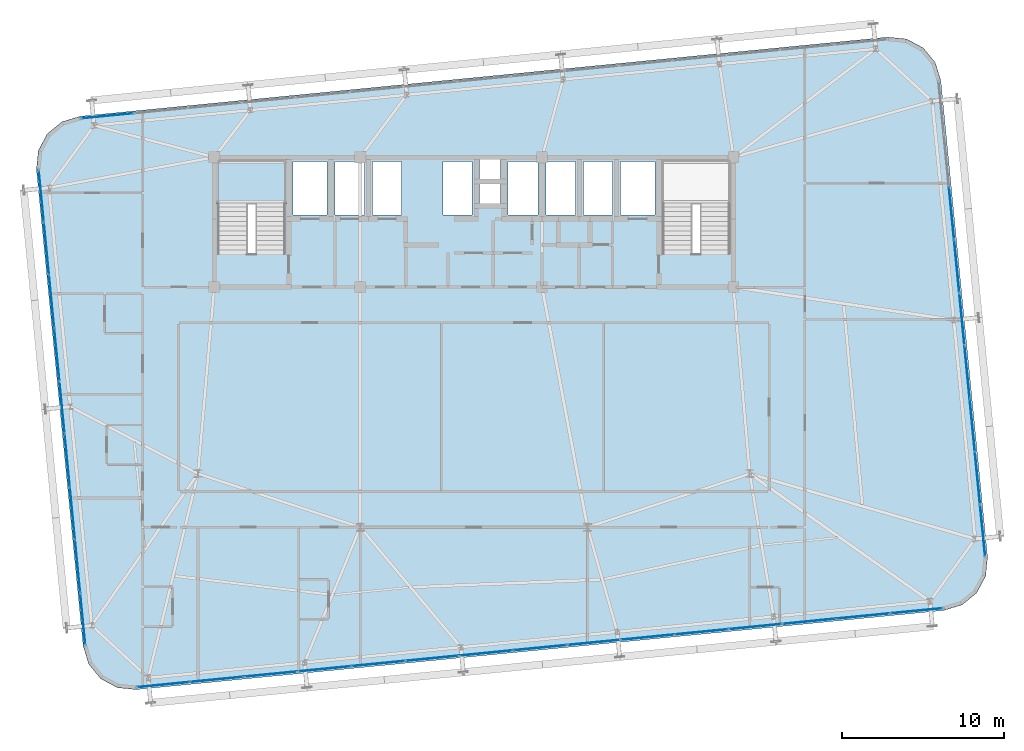
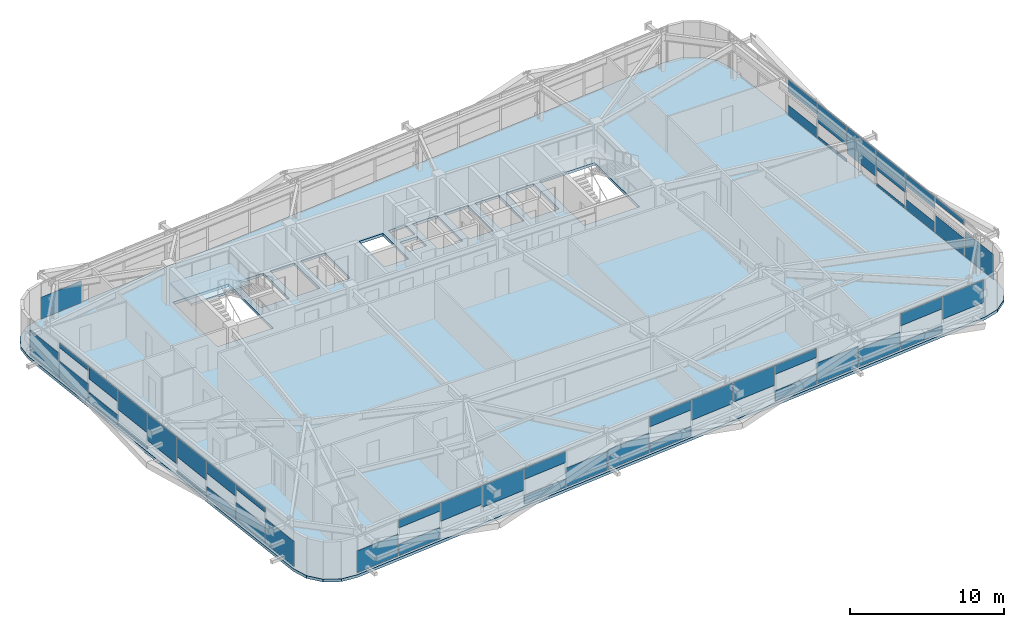
# One storey, part 36 of 53: 48 plates, 2 slabs, 5 elements without a shape of their own.
"""IFC4 building model written with IfcOpenShell, lengths in metres."""

from ifc_helpers import new_model, si_unit, direction, frame, origin, origin_2d, place, context, subcontext, project, spatial, polyline, rectangle, outline, extrude, source, transform, mapped, material, layer, layer_set, type_object, element, aggregate, save


model = new_model("IFC4")

# Units and contexts
model_context = context("Model", 3, precision=1e-05, world=origin(), true_north=direction((0.0, 1.0)))
body_context = subcontext(model_context, "Body", "Model", "MODEL_VIEW")
ifc_project = project(units=[si_unit("LENGTHUNIT", "METRE"), si_unit("AREAUNIT", "SQUARE_METRE"), si_unit("VOLUMEUNIT", "CUBIC_METRE"), si_unit("PLANEANGLEUNIT", "RADIAN"), si_unit("MASSUNIT", "GRAM", prefix="KILO")], contexts=[model_context])

# Site, building, storey
site_placement = place(None, origin())
site = spatial("IfcSite", under=ifc_project, at=site_placement, CompositionType="ELEMENT")
building_placement = place(site_placement, origin())
building = spatial("IfcBuilding", under=site, at=building_placement, Name="Taldren Reach Tower", CompositionType="ELEMENT")
storey_placement = place(building_placement, frame((0.0, 0.0, 84.0)))
storey = spatial("IfcBuildingStorey", under=building, at=storey_placement, Name="L25", CompositionType="ELEMENT", Elevation=84.0)

# Slab
ifc_material_1 = material(Name="Concrete N40 (40 MPa)", Category="concrete")
ifc_layer_1 = layer(ifc_material_1, 0.219970703125)
ifc_layer_set_1 = layer_set([ifc_layer_1], Name="Concrete N40 (40 MPa)")
slab_type_1 = type_object("IfcSlabType", Name="SL-FLR-220", PredefinedType="FLOOR", material=ifc_layer_set_1)
slab_1_placement = place(storey_placement, frame((0.0, 0.0, -0.219970703125)))
element("IfcSlab", 1, at=slab_1_placement, inside=storey, type_object=slab_type_1, Name="Suspended floor slab L25", PredefinedType="FLOOR", context=body_context, shape_type="SweptSolid", body=[
    extrude(outline(polyline([(63.962890625, 4.07421875), (65.0830078125, 4.41357421875), (65.98828125, 5.15576171875), (66.54052734375, 6.187744140625), (66.65576171875, 7.352783203125), (63.777099609375, 36.7119140625), (63.437744140625, 37.832275390625), (62.695556640625, 38.7373046875), (61.663330078125, 39.28955078125), (60.49853515625, 39.40478515625), (10.7373046875, 34.525634765625), (9.616943359375, 34.1865234375), (8.711669921875, 33.4443359375), (8.159423828125, 32.412109375), (8.044189453125, 31.247314453125), (10.923095703125, 1.88818359375), (11.26220703125, 0.767822265625), (12.00439453125, -0.137451171875), (13.03662109375, -0.689697265625), (14.201416015625, -0.804931640625), (63.962890625, 4.07421875)]), holes=[polyline([(19.219970703125, 26.050048828125), (23.3798828125, 26.050048828125), (23.3798828125, 31.820068359375), (19.219970703125, 31.820068359375), (19.219970703125, 26.050048828125)]), polyline([(46.6201171875, 26.050048828125), (50.780029296875, 26.050048828125), (50.780029296875, 31.820068359375), (46.6201171875, 31.820068359375), (46.6201171875, 26.050048828125)]), polyline([(23.85009765625, 28.449951171875), (25.949951171875, 28.449951171875), (25.949951171875, 31.75), (23.85009765625, 31.75), (23.85009765625, 28.449951171875)]), polyline([(44.050048828125, 28.449951171875), (46.14990234375, 28.449951171875), (46.14990234375, 31.75), (44.050048828125, 31.75), (44.050048828125, 28.449951171875)]), polyline([(26.449951171875, 28.449951171875), (28.25, 28.449951171875), (28.25, 31.75), (26.449951171875, 31.75), (26.449951171875, 28.449951171875)]), polyline([(28.75, 28.449951171875), (30.550048828125, 28.449951171875), (30.550048828125, 31.75), (28.75, 31.75), (28.75, 28.449951171875)]), polyline([(33.10009765625, 28.449951171875), (34.89990234375, 28.449951171875), (34.89990234375, 31.75), (33.10009765625, 31.75), (33.10009765625, 28.449951171875)]), polyline([(37.10009765625, 28.449951171875), (38.949951171875, 28.449951171875), (38.949951171875, 31.75), (37.10009765625, 31.75), (37.10009765625, 28.449951171875)]), polyline([(39.449951171875, 28.449951171875), (41.25, 28.449951171875), (41.25, 31.75), (39.449951171875, 31.75), (39.449951171875, 28.449951171875)]), polyline([(41.75, 28.449951171875), (43.550048828125, 28.449951171875), (43.550048828125, 31.75), (41.75, 31.75), (41.75, 28.449951171875)]), polyline([(35.35009765625, 30.64990234375), (36.64990234375, 30.64990234375), (36.64990234375, 31.85009765625), (35.35009765625, 31.85009765625), (35.35009765625, 30.64990234375)]), polyline([(35.35009765625, 29.14990234375), (36.64990234375, 29.14990234375), (36.64990234375, 30.35009765625), (35.35009765625, 30.35009765625), (35.35009765625, 29.14990234375)])]), origin(), (0.0, 0.0, 1.0), 0.219970703125),
])

# Stair, slab
ifc_material_2 = material(Name="Concrete S50 (50 MPa)", Category="concrete")
stair_type = type_object("IfcStairType", Name="ST-HT-315", PredefinedType="HALF_TURN_STAIR", material=ifc_material_2)
stair_placement = place(storey_placement, origin())
stair = element("IfcStair", 2, at=stair_placement, inside=storey, type_object=stair_type, Name="Fire-isolated exit stair ST1 L25", PredefinedType="HALF_TURN_STAIR")
ifc_layer_2 = layer(ifc_material_2, 0.179931640625)
ifc_layer_set_2 = layer_set([ifc_layer_2], Name="Concrete S50 (50 MPa)")
slab_type_2 = type_object("IfcSlabType", Name="SL-LAND-180", PredefinedType="LANDING", material=ifc_layer_set_2)
slab_2_placement = place(storey_placement, frame((0.0, 0.0, 1.39501953125)))
slab_2 = element("IfcSlab", 3, at=slab_2_placement, type_object=slab_type_2, Name="ST1 landing 1", PredefinedType="LANDING", context=body_context, shape_type="SweptSolid", body=[
    extrude(outline(polyline([(19.0400390625, 29.135009765625), (23.56005859375, 29.135009765625), (23.56005859375, 31.8701171875), (19.0400390625, 31.8701171875), (19.0400390625, 29.135009765625)])), origin(), (0.0, 0.0, 1.0), 0.179931640625),
])
aggregate(stair, [slab_2])

# Curtain wall, plate
ifc_material_3 = material(Name="Aluminium and Low-E Glass Unitised System", Category="aluminium")
ifc_layer_3 = layer(ifc_material_3, 0.159912109375)
ifc_layer_set_3 = layer_set([ifc_layer_3], Name="Aluminium and Low-E Glass Unitised System")
curtain_wall_type = type_object("IfcCurtainWallType", Name="CW-SYS-3", PredefinedType="NOTDEFINED", material=ifc_layer_set_3)
curtain_wall_1_placement = place(storey_placement, origin())
curtain_wall_1 = element("IfcCurtainWall", 4, at=curtain_wall_1_placement, inside=storey, type_object=curtain_wall_type, Name="Unitised curtain wall CW-L25-S", PredefinedType="NOTDEFINED")
ifc_material_4 = material(Name="Solar-Control Double Glazed IGU", Category="glass")
ifc_layer_4 = layer(ifc_material_4, 0.031982421875)
ifc_layer_set_4 = layer_set([ifc_layer_4], Name="Solar-Control Double Glazed IGU")
plate_type = type_object("IfcPlateType", Name="CW-PNL-IGU32", PredefinedType="CURTAIN_PANEL", material=ifc_layer_set_4)
shared_shape_1 = source(origin(), body_context, "Body", "SweptSolid", [
    extrude(rectangle(XDim=3.23583984375, YDim=0.031982421875, at=origin_2d()), origin(), (0.0, 0.0, 1.0), 1.72509765625),
])
plate_1_placement = place(storey_placement, frame((15.862548828125, -0.501220703125, 0.054931640625), z_axis=(0.0, 0.0, 1.0), x_axis=(0.995227390247, 0.097582999046, 0.0)))
plate_1 = element("IfcPlate", 5, at=plate_1_placement, type_object=plate_type, Name="CW-3 panel 1.1 part 1", PredefinedType="CURTAIN_PANEL", context=body_context, shape_type="MappedRepresentation", body=[
    mapped(shared_shape_1, transform((0.0, 0.0, 0.0), scale=1.0)),
])

curtain_wall_2_placement = place(storey_placement, origin())
curtain_wall_2 = element("IfcCurtainWall", 6, at=curtain_wall_2_placement, inside=storey, type_object=curtain_wall_type, Name="Unitised curtain wall CW-L25-N", PredefinedType="NOTDEFINED")
plate_2_placement = place(storey_placement, frame((12.42578125, 34.550537109375, 0.054931640625), z_axis=(0.0, 0.0, 1.0), x_axis=(-0.995227390247, -0.097582999046, 0.0)))
plate_2 = element("IfcPlate", 7, at=plate_2_placement, type_object=plate_type, Name="CW-3 panel 15.1 part 1", PredefinedType="CURTAIN_PANEL", context=body_context, shape_type="MappedRepresentation", body=[
    mapped(shared_shape_1, transform((0.0, 0.0, 0.0), scale=1.0)),
])
aggregate(curtain_wall_2, [plate_2])

# Plate
shared_shape_2 = source(origin(), body_context, "Body", "SweptSolid", [
    extrude(rectangle(XDim=3.268310546875, YDim=0.031982421875, at=origin_2d()), origin(), (0.0, 0.0, 1.0), 0.88818359375),
])
plate_3_placement = place(storey_placement, frame((19.163818359375, -0.177734375, 0.05517578125), z_axis=(0.0, 0.0, 1.0), x_axis=(0.995227390247, 0.097582999046, 0.0)))
plate_3 = element("IfcPlate", 8, at=plate_3_placement, type_object=plate_type, Name="CW-3 panel 2.1 part 1", PredefinedType="CURTAIN_PANEL", context=body_context, shape_type="MappedRepresentation", body=[
    mapped(shared_shape_2, transform((0.0, 0.0, 0.0), scale=1.0)),
])

shared_shape_3 = source(origin(), body_context, "Body", "SweptSolid", [
    extrude(rectangle(XDim=3.268310546875, YDim=0.031982421875, at=origin_2d()), origin(), (0.0, 0.0, 1.0), 0.626953125),
])
plate_4_placement = place(storey_placement, frame((19.163818359375, -0.177734375, 2.248046875), z_axis=(0.0, 0.0, 1.0), x_axis=(0.995227390247, 0.097582999046, 0.0)))
plate_4 = element("IfcPlate", 9, at=plate_4_placement, type_object=plate_type, Name="CW-3 panel 2.1 part 2", PredefinedType="CURTAIN_PANEL", context=body_context, shape_type="MappedRepresentation", body=[
    mapped(shared_shape_3, transform((0.0, 0.0, 0.0), scale=1.0)),
])

shared_shape_4 = source(origin(), body_context, "Body", "SweptSolid", [
    extrude(rectangle(XDim=3.268310546875, YDim=0.031982421875, at=origin_2d()), origin(), (0.0, 0.0, 1.0), 1.4638671875),
])
plate_5_placement = place(storey_placement, frame((22.481201171875, 0.147705078125, 1.4111328125), z_axis=(0.0, 0.0, 1.0), x_axis=(0.995227390247, 0.097582999046, 0.0)))
plate_5 = element("IfcPlate", 10, at=plate_5_placement, type_object=plate_type, Name="CW-3 panel 3.1 part 1", PredefinedType="CURTAIN_PANEL", context=body_context, shape_type="MappedRepresentation", body=[
    mapped(shared_shape_4, transform((0.0, 0.0, 0.0), scale=1.0)),
])

shared_shape_5 = source(origin(), body_context, "Body", "SweptSolid", [
    extrude(rectangle(XDim=3.268310546875, YDim=0.031982421875, at=origin_2d()), origin(), (0.0, 0.0, 1.0), 1.704833984375),
])
plate_6_placement = place(storey_placement, frame((25.798828125, 0.472900390625, 1.17041015625), z_axis=(0.0, 0.0, 1.0), x_axis=(0.995227390247, 0.097582999046, 0.0)))
plate_6 = element("IfcPlate", 11, at=plate_6_placement, type_object=plate_type, Name="CW-3 panel 4.1 part 1", PredefinedType="CURTAIN_PANEL", context=body_context, shape_type="MappedRepresentation", body=[
    mapped(shared_shape_5, transform((0.0, 0.0, 0.0), scale=1.0)),
])

shared_shape_6 = source(origin(), body_context, "Body", "SweptSolid", [
    extrude(rectangle(XDim=3.268310546875, YDim=0.031982421875, at=origin_2d()), origin(), (0.0, 0.0, 1.0), 0.647216796875),
])
plate_7_placement = place(storey_placement, frame((29.1162109375, 0.798095703125, 0.05517578125), z_axis=(0.0, 0.0, 1.0), x_axis=(0.995227390247, 0.097582999046, 0.0)))
plate_7 = element("IfcPlate", 12, at=plate_7_placement, type_object=plate_type, Name="CW-3 panel 5.1 part 1", PredefinedType="CURTAIN_PANEL", context=body_context, shape_type="MappedRepresentation", body=[
    mapped(shared_shape_6, transform((0.0, 0.0, 0.0), scale=1.0)),
])

shared_shape_7 = source(origin(), body_context, "Body", "SweptSolid", [
    extrude(rectangle(XDim=3.268310546875, YDim=0.031982421875, at=origin_2d()), origin(), (0.0, 0.0, 1.0), 0.867919921875),
])
plate_8_placement = place(storey_placement, frame((29.1162109375, 0.798095703125, 2.0068359375), z_axis=(0.0, 0.0, 1.0), x_axis=(0.995227390247, 0.097582999046, 0.0)))
plate_8 = element("IfcPlate", 13, at=plate_8_placement, type_object=plate_type, Name="CW-3 panel 5.1 part 2", PredefinedType="CURTAIN_PANEL", context=body_context, shape_type="MappedRepresentation", body=[
    mapped(shared_shape_7, transform((0.0, 0.0, 0.0), scale=1.0)),
])

shared_shape_8 = source(origin(), body_context, "Body", "SweptSolid", [
    extrude(rectangle(XDim=3.268310546875, YDim=0.031982421875, at=origin_2d()), origin(), (0.0, 0.0, 1.0), 1.484130859375),
])
plate_9_placement = place(storey_placement, frame((32.43359375, 1.12353515625, 0.05517578125), z_axis=(0.0, 0.0, 1.0), x_axis=(0.995227390247, 0.097582999046, 0.0)))
plate_9 = element("IfcPlate", 14, at=plate_9_placement, type_object=plate_type, Name="CW-3 panel 6.1 part 1", PredefinedType="CURTAIN_PANEL", context=body_context, shape_type="MappedRepresentation", body=[
    mapped(shared_shape_8, transform((0.0, 0.0, 0.0), scale=1.0)),
])

shared_shape_9 = source(origin(), body_context, "Body", "SweptSolid", [
    extrude(rectangle(XDim=3.268310546875, YDim=0.031982421875, at=origin_2d()), origin(), (0.0, 0.0, 1.0), 1.564453125),
])
plate_10_placement = place(storey_placement, frame((35.7509765625, 1.44873046875, 0.054931640625), z_axis=(0.0, 0.0, 1.0), x_axis=(0.995227390247, 0.097582999046, 0.0)))
plate_10 = element("IfcPlate", 15, at=plate_10_placement, type_object=plate_type, Name="CW-3 panel 7.1 part 1", PredefinedType="CURTAIN_PANEL", context=body_context, shape_type="MappedRepresentation", body=[
    mapped(shared_shape_9, transform((0.0, 0.0, 0.0), scale=1.0)),
])

shared_shape_10 = source(origin(), body_context, "Body", "SweptSolid", [
    extrude(rectangle(XDim=3.268310546875, YDim=0.031982421875, at=origin_2d()), origin(), (0.0, 0.0, 1.0), 0.7275390625),
])
plate_11_placement = place(storey_placement, frame((39.068359375, 1.77392578125, 0.054931640625), z_axis=(0.0, 0.0, 1.0), x_axis=(0.995227390247, 0.097582999046, 0.0)))
plate_11 = element("IfcPlate", 16, at=plate_11_placement, type_object=plate_type, Name="CW-3 panel 8.1 part 1", PredefinedType="CURTAIN_PANEL", context=body_context, shape_type="MappedRepresentation", body=[
    mapped(shared_shape_10, transform((0.0, 0.0, 0.0), scale=1.0)),
])

shared_shape_11 = source(origin(), body_context, "Body", "SweptSolid", [
    extrude(rectangle(XDim=3.268310546875, YDim=0.031982421875, at=origin_2d()), origin(), (0.0, 0.0, 1.0), 0.78759765625),
])
plate_12_placement = place(storey_placement, frame((39.068359375, 1.77392578125, 2.08740234375), z_axis=(0.0, 0.0, 1.0), x_axis=(0.995227390247, 0.097582999046, 0.0)))
plate_12 = element("IfcPlate", 17, at=plate_12_placement, type_object=plate_type, Name="CW-3 panel 8.1 part 2", PredefinedType="CURTAIN_PANEL", context=body_context, shape_type="MappedRepresentation", body=[
    mapped(shared_shape_11, transform((0.0, 0.0, 0.0), scale=1.0)),
])

shared_shape_12 = source(origin(), body_context, "Body", "SweptSolid", [
    extrude(rectangle(XDim=3.268310546875, YDim=0.031982421875, at=origin_2d()), origin(), (0.0, 0.0, 1.0), 1.62451171875),
])
plate_13_placement = place(storey_placement, frame((42.3857421875, 2.099365234375, 1.25048828125), z_axis=(0.0, 0.0, 1.0), x_axis=(0.995227390247, 0.097582999046, 0.0)))
plate_13 = element("IfcPlate", 18, at=plate_13_placement, type_object=plate_type, Name="CW-3 panel 9.1 part 1", PredefinedType="CURTAIN_PANEL", context=body_context, shape_type="MappedRepresentation", body=[
    mapped(shared_shape_12, transform((0.0, 0.0, 0.0), scale=1.0)),
])

shared_shape_13 = source(origin(), body_context, "Body", "SweptSolid", [
    extrude(rectangle(XDim=3.268310546875, YDim=0.031982421875, at=origin_2d()), origin(), (0.0, 0.0, 1.0), 1.544189453125),
])
plate_14_placement = place(storey_placement, frame((45.703369140625, 2.424560546875, 1.3310546875), z_axis=(0.0, 0.0, 1.0), x_axis=(0.995227390247, 0.097582999046, 0.0)))
plate_14 = element("IfcPlate", 19, at=plate_14_placement, type_object=plate_type, Name="CW-3 panel 10.1 part 1", PredefinedType="CURTAIN_PANEL", context=body_context, shape_type="MappedRepresentation", body=[
    mapped(shared_shape_13, transform((0.0, 0.0, 0.0), scale=1.0)),
])

shared_shape_14 = source(origin(), body_context, "Body", "SweptSolid", [
    extrude(rectangle(XDim=3.268310546875, YDim=0.031982421875, at=origin_2d()), origin(), (0.0, 0.0, 1.0), 0.807861328125),
])
plate_15_placement = place(storey_placement, frame((49.020751953125, 2.749755859375, 0.05517578125), z_axis=(0.0, 0.0, 1.0), x_axis=(0.995227390247, 0.097582999046, 0.0)))
plate_15 = element("IfcPlate", 20, at=plate_15_placement, type_object=plate_type, Name="CW-3 panel 11.1 part 1", PredefinedType="CURTAIN_PANEL", context=body_context, shape_type="MappedRepresentation", body=[
    mapped(shared_shape_14, transform((0.0, 0.0, 0.0), scale=1.0)),
])

shared_shape_15 = source(origin(), body_context, "Body", "SweptSolid", [
    extrude(rectangle(XDim=3.268310546875, YDim=0.031982421875, at=origin_2d()), origin(), (0.0, 0.0, 1.0), 0.707275390625),
])
plate_16_placement = place(storey_placement, frame((49.020751953125, 2.749755859375, 2.16748046875), z_axis=(0.0, 0.0, 1.0), x_axis=(0.995227390247, 0.097582999046, 0.0)))
plate_16 = element("IfcPlate", 21, at=plate_16_placement, type_object=plate_type, Name="CW-3 panel 11.1 part 2", PredefinedType="CURTAIN_PANEL", context=body_context, shape_type="MappedRepresentation", body=[
    mapped(shared_shape_15, transform((0.0, 0.0, 0.0), scale=1.0)),
])

shared_shape_16 = source(origin(), body_context, "Body", "SweptSolid", [
    extrude(rectangle(XDim=3.268310546875, YDim=0.031982421875, at=origin_2d()), origin(), (0.0, 0.0, 1.0), 1.644775390625),
])
plate_17_placement = place(storey_placement, frame((52.338134765625, 3.0751953125, 0.05517578125), z_axis=(0.0, 0.0, 1.0), x_axis=(0.995227390247, 0.097582999046, 0.0)))
plate_17 = element("IfcPlate", 22, at=plate_17_placement, type_object=plate_type, Name="CW-3 panel 12.1 part 1", PredefinedType="CURTAIN_PANEL", context=body_context, shape_type="MappedRepresentation", body=[
    mapped(shared_shape_16, transform((0.0, 0.0, 0.0), scale=1.0)),
])

shared_shape_17 = source(origin(), body_context, "Body", "SweptSolid", [
    extrude(rectangle(XDim=3.268310546875, YDim=0.031982421875, at=origin_2d()), origin(), (0.0, 0.0, 1.0), 1.40380859375),
])
plate_18_placement = place(storey_placement, frame((55.655517578125, 3.400390625, 0.054931640625), z_axis=(0.0, 0.0, 1.0), x_axis=(0.995227390247, 0.097582999046, 0.0)))
plate_18 = element("IfcPlate", 23, at=plate_18_placement, type_object=plate_type, Name="CW-3 panel 13.1 part 1", PredefinedType="CURTAIN_PANEL", context=body_context, shape_type="MappedRepresentation", body=[
    mapped(shared_shape_17, transform((0.0, 0.0, 0.0), scale=1.0)),
])

shared_shape_18 = source(origin(), body_context, "Body", "SweptSolid", [
    extrude(rectangle(XDim=3.268310546875, YDim=0.031982421875, at=origin_2d()), origin(), (0.0, 0.0, 1.0), 0.56689453125),
])
plate_19_placement = place(storey_placement, frame((58.972900390625, 3.7255859375, 0.054931640625), z_axis=(0.0, 0.0, 1.0), x_axis=(0.995227390247, 0.097582999046, 0.0)))
plate_19 = element("IfcPlate", 24, at=plate_19_placement, type_object=plate_type, Name="CW-3 panel 14.1 part 1", PredefinedType="CURTAIN_PANEL", context=body_context, shape_type="MappedRepresentation", body=[
    mapped(shared_shape_18, transform((0.0, 0.0, 0.0), scale=1.0)),
])

shared_shape_19 = source(origin(), body_context, "Body", "SweptSolid", [
    extrude(rectangle(XDim=3.268310546875, YDim=0.031982421875, at=origin_2d()), origin(), (0.0, 0.0, 1.0), 0.9482421875),
])
plate_20_placement = place(storey_placement, frame((58.972900390625, 3.7255859375, 1.9267578125), z_axis=(0.0, 0.0, 1.0), x_axis=(0.995227390247, 0.097582999046, 0.0)))
plate_20 = element("IfcPlate", 25, at=plate_20_placement, type_object=plate_type, Name="CW-3 panel 14.1 part 2", PredefinedType="CURTAIN_PANEL", context=body_context, shape_type="MappedRepresentation", body=[
    mapped(shared_shape_19, transform((0.0, 0.0, 0.0), scale=1.0)),
])

shared_shape_20 = source(origin(), body_context, "Body", "SweptSolid", [
    extrude(rectangle(XDim=3.23583984375, YDim=0.031982421875, at=origin_2d()), origin(), (0.0, 0.0, 1.0), 1.78515625),
])
plate_21_placement = place(storey_placement, frame((62.274169921875, 4.04931640625, 1.08984375), z_axis=(0.0, 0.0, 1.0), x_axis=(0.995227390247, 0.097582999046, 0.0)))
plate_21 = element("IfcPlate", 26, at=plate_21_placement, type_object=plate_type, Name="CW-3 panel 15.1 part 1", PredefinedType="CURTAIN_PANEL", context=body_context, shape_type="MappedRepresentation", body=[
    mapped(shared_shape_20, transform((0.0, 0.0, 0.0), scale=1.0)),
])

aggregate(curtain_wall_1, [plate_1, plate_3, plate_4, plate_5, plate_6, plate_7, plate_8, plate_9, plate_10, plate_11, plate_12, plate_13, plate_14, plate_15, plate_16, plate_17, plate_18, plate_19, plate_20, plate_21])

# Curtain wall, plates
curtain_wall_3_placement = place(storey_placement, origin())
curtain_wall_3 = element("IfcCurtainWall", 27, at=curtain_wall_3_placement, inside=storey, type_object=curtain_wall_type, Name="Unitised curtain wall CW-L25-W", PredefinedType="NOTDEFINED")
shared_shape_21 = source(origin(), body_context, "Body", "SweptSolid", [
    extrude(rectangle(XDim=3.18017578125, YDim=0.031982421875, at=origin_2d()), origin(), (0.0, 0.0, 1.0), 1.989501953125),
])
plate_22_placement = place(storey_placement, frame((8.34521484375, 29.61376953125, 0.05517578125), z_axis=(0.0, 0.0, 1.0), x_axis=(0.09758274098, -0.99522741555, 0.0)))
plate_22 = element("IfcPlate", 28, at=plate_22_placement, type_object=plate_type, Name="CW-3 panel 1.1 part 1", PredefinedType="CURTAIN_PANEL", context=body_context, shape_type="MappedRepresentation", body=[
    mapped(shared_shape_21, transform((0.0, 0.0, 0.0), scale=1.0)),
])
plate_23_placement = place(storey_placement, frame((10.90087890625, 3.549072265625, 0.05517578125), z_axis=(0.0, 0.0, 1.0), x_axis=(0.09758274098, -0.99522741555, 0.0)))
plate_23 = element("IfcPlate", 29, at=plate_23_placement, type_object=plate_type, Name="CW-3 panel 9.1 part 1", PredefinedType="CURTAIN_PANEL", context=body_context, shape_type="MappedRepresentation", body=[
    mapped(shared_shape_21, transform((0.0, 0.0, 0.0), scale=1.0)),
])

# Curtain wall, plate
curtain_wall_4_placement = place(storey_placement, origin())
curtain_wall_4 = element("IfcCurtainWall", 30, at=curtain_wall_4_placement, inside=storey, type_object=curtain_wall_type, Name="Unitised curtain wall CW-L25-E", PredefinedType="NOTDEFINED")
plate_24_placement = place(storey_placement, frame((66.35498046875, 8.986328125, 0.05517578125), z_axis=(0.0, 0.0, 1.0), x_axis=(-0.09758274098, 0.99522741555, 0.0)))
plate_24 = element("IfcPlate", 31, at=plate_24_placement, type_object=plate_type, Name="CW-3 panel 1.1 part 1", PredefinedType="CURTAIN_PANEL", context=body_context, shape_type="MappedRepresentation", body=[
    mapped(shared_shape_21, transform((0.0, 0.0, 0.0), scale=1.0)),
])

# Plate
shared_shape_22 = source(origin(), body_context, "Body", "SweptSolid", [
    extrude(rectangle(XDim=3.212890625, YDim=0.031982421875, at=origin_2d()), origin(), (0.0, 0.0, 1.0), 1.401611328125),
])
plate_25_placement = place(storey_placement, frame((8.663330078125, 26.36767578125, 0.05517578125), z_axis=(0.0, 0.0, 1.0), x_axis=(0.09758274098, -0.99522741555, 0.0)))
plate_25 = element("IfcPlate", 32, at=plate_25_placement, type_object=plate_type, Name="CW-3 panel 2.1 part 1", PredefinedType="CURTAIN_PANEL", context=body_context, shape_type="MappedRepresentation", body=[
    mapped(shared_shape_22, transform((0.0, 0.0, 0.0), scale=1.0)),
])

plate_26_placement = place(storey_placement, frame((10.58251953125, 6.794921875, 0.05517578125), z_axis=(0.0, 0.0, 1.0), x_axis=(0.09758274098, -0.99522741555, 0.0)))
plate_26 = element("IfcPlate", 33, at=plate_26_placement, type_object=plate_type, Name="CW-3 panel 8.1 part 1", PredefinedType="CURTAIN_PANEL", context=body_context, shape_type="MappedRepresentation", body=[
    mapped(shared_shape_22, transform((0.0, 0.0, 0.0), scale=1.0)),
])

plate_27_placement = place(storey_placement, frame((66.03662109375, 12.232177734375, 0.05517578125), z_axis=(0.0, 0.0, 1.0), x_axis=(-0.09758274098, 0.99522741555, 0.0)))
plate_27 = element("IfcPlate", 34, at=plate_27_placement, type_object=plate_type, Name="CW-3 panel 2.1 part 1", PredefinedType="CURTAIN_PANEL", context=body_context, shape_type="MappedRepresentation", body=[
    mapped(shared_shape_22, transform((0.0, 0.0, 0.0), scale=1.0)),
])

shared_shape_23 = source(origin(), body_context, "Body", "SweptSolid", [
    extrude(rectangle(XDim=3.212890625, YDim=0.031982421875, at=origin_2d()), origin(), (0.0, 0.0, 1.0), 0.36474609375),
])
plate_28_placement = place(storey_placement, frame((8.663330078125, 26.36767578125, 2.51025390625), z_axis=(0.0, 0.0, 1.0), x_axis=(0.09758274098, -0.99522741555, 0.0)))
plate_28 = element("IfcPlate", 35, at=plate_28_placement, type_object=plate_type, Name="CW-3 panel 2.1 part 2", PredefinedType="CURTAIN_PANEL", context=body_context, shape_type="MappedRepresentation", body=[
    mapped(shared_shape_23, transform((0.0, 0.0, 0.0), scale=1.0)),
])

plate_29_placement = place(storey_placement, frame((10.58251953125, 6.794921875, 2.51025390625), z_axis=(0.0, 0.0, 1.0), x_axis=(0.09758274098, -0.99522741555, 0.0)))
plate_29 = element("IfcPlate", 36, at=plate_29_placement, type_object=plate_type, Name="CW-3 panel 8.1 part 2", PredefinedType="CURTAIN_PANEL", context=body_context, shape_type="MappedRepresentation", body=[
    mapped(shared_shape_23, transform((0.0, 0.0, 0.0), scale=1.0)),
])

plate_30_placement = place(storey_placement, frame((66.03662109375, 12.232177734375, 2.51025390625), z_axis=(0.0, 0.0, 1.0), x_axis=(-0.09758274098, 0.99522741555, 0.0)))
plate_30 = element("IfcPlate", 37, at=plate_30_placement, type_object=plate_type, Name="CW-3 panel 2.1 part 2", PredefinedType="CURTAIN_PANEL", context=body_context, shape_type="MappedRepresentation", body=[
    mapped(shared_shape_23, transform((0.0, 0.0, 0.0), scale=1.0)),
])

shared_shape_24 = source(origin(), body_context, "Body", "SweptSolid", [
    extrude(rectangle(XDim=3.212890625, YDim=0.031982421875, at=origin_2d()), origin(), (0.0, 0.0, 1.0), 0.81396484375),
])
plate_31_placement = place(storey_placement, frame((8.983154296875, 23.105712890625, 0.054931640625), z_axis=(0.0, 0.0, 1.0), x_axis=(0.09758274098, -0.99522741555, 0.0)))
plate_31 = element("IfcPlate", 38, at=plate_31_placement, type_object=plate_type, Name="CW-3 panel 3.1 part 1", PredefinedType="CURTAIN_PANEL", context=body_context, shape_type="MappedRepresentation", body=[
    mapped(shared_shape_24, transform((0.0, 0.0, 0.0), scale=1.0)),
])

plate_32_placement = place(storey_placement, frame((10.2626953125, 10.05712890625, 0.054931640625), z_axis=(0.0, 0.0, 1.0), x_axis=(0.09758274098, -0.99522741555, 0.0)))
plate_32 = element("IfcPlate", 39, at=plate_32_placement, type_object=plate_type, Name="CW-3 panel 7.1 part 1", PredefinedType="CURTAIN_PANEL", context=body_context, shape_type="MappedRepresentation", body=[
    mapped(shared_shape_24, transform((0.0, 0.0, 0.0), scale=1.0)),
])

plate_33_placement = place(storey_placement, frame((65.716796875, 15.494384765625, 0.054931640625), z_axis=(0.0, 0.0, 1.0), x_axis=(-0.09758274098, 0.99522741555, 0.0)))
plate_33 = element("IfcPlate", 40, at=plate_33_placement, type_object=plate_type, Name="CW-3 panel 3.1 part 1", PredefinedType="CURTAIN_PANEL", context=body_context, shape_type="MappedRepresentation", body=[
    mapped(shared_shape_24, transform((0.0, 0.0, 0.0), scale=1.0)),
])

plate_34_placement = place(storey_placement, frame((64.437255859375, 28.54296875, 0.054931640625), z_axis=(0.0, 0.0, 1.0), x_axis=(-0.09758274098, 0.99522741555, 0.0)))
plate_34 = element("IfcPlate", 41, at=plate_34_placement, type_object=plate_type, Name="CW-3 panel 7.1 part 1", PredefinedType="CURTAIN_PANEL", context=body_context, shape_type="MappedRepresentation", body=[
    mapped(shared_shape_24, transform((0.0, 0.0, 0.0), scale=1.0)),
])

shared_shape_25 = source(origin(), body_context, "Body", "SweptSolid", [
    extrude(rectangle(XDim=3.212890625, YDim=0.031982421875, at=origin_2d()), origin(), (0.0, 0.0, 1.0), 0.95263671875),
])
plate_35_placement = place(storey_placement, frame((8.983154296875, 23.105712890625, 1.92236328125), z_axis=(0.0, 0.0, 1.0), x_axis=(0.09758274098, -0.99522741555, 0.0)))
plate_35 = element("IfcPlate", 42, at=plate_35_placement, type_object=plate_type, Name="CW-3 panel 3.1 part 2", PredefinedType="CURTAIN_PANEL", context=body_context, shape_type="MappedRepresentation", body=[
    mapped(shared_shape_25, transform((0.0, 0.0, 0.0), scale=1.0)),
])

plate_36_placement = place(storey_placement, frame((10.2626953125, 10.05712890625, 1.92236328125), z_axis=(0.0, 0.0, 1.0), x_axis=(0.09758274098, -0.99522741555, 0.0)))
plate_36 = element("IfcPlate", 43, at=plate_36_placement, type_object=plate_type, Name="CW-3 panel 7.1 part 2", PredefinedType="CURTAIN_PANEL", context=body_context, shape_type="MappedRepresentation", body=[
    mapped(shared_shape_25, transform((0.0, 0.0, 0.0), scale=1.0)),
])

plate_37_placement = place(storey_placement, frame((65.716796875, 15.494384765625, 1.92236328125), z_axis=(0.0, 0.0, 1.0), x_axis=(-0.09758274098, 0.99522741555, 0.0)))
plate_37 = element("IfcPlate", 44, at=plate_37_placement, type_object=plate_type, Name="CW-3 panel 3.1 part 2", PredefinedType="CURTAIN_PANEL", context=body_context, shape_type="MappedRepresentation", body=[
    mapped(shared_shape_25, transform((0.0, 0.0, 0.0), scale=1.0)),
])

plate_38_placement = place(storey_placement, frame((64.437255859375, 28.54296875, 1.92236328125), z_axis=(0.0, 0.0, 1.0), x_axis=(-0.09758274098, 0.99522741555, 0.0)))
plate_38 = element("IfcPlate", 45, at=plate_38_placement, type_object=plate_type, Name="CW-3 panel 7.1 part 2", PredefinedType="CURTAIN_PANEL", context=body_context, shape_type="MappedRepresentation", body=[
    mapped(shared_shape_25, transform((0.0, 0.0, 0.0), scale=1.0)),
])

shared_shape_26 = source(origin(), body_context, "Body", "SweptSolid", [
    extrude(rectangle(XDim=3.212890625, YDim=0.031982421875, at=origin_2d()), origin(), (0.0, 0.0, 1.0), 0.22607421875),
])
plate_39_placement = place(storey_placement, frame((9.30322265625, 19.843505859375, 0.054931640625), z_axis=(0.0, 0.0, 1.0), x_axis=(0.09758274098, -0.99522741555, 0.0)))
plate_39 = element("IfcPlate", 46, at=plate_39_placement, type_object=plate_type, Name="CW-3 panel 4.1 part 1", PredefinedType="CURTAIN_PANEL", context=body_context, shape_type="MappedRepresentation", body=[
    mapped(shared_shape_26, transform((0.0, 0.0, 0.0), scale=1.0)),
])

plate_40_placement = place(storey_placement, frame((9.94287109375, 13.319091796875, 0.054931640625), z_axis=(0.0, 0.0, 1.0), x_axis=(0.09758274098, -0.99522741555, 0.0)))
plate_40 = element("IfcPlate", 47, at=plate_40_placement, type_object=plate_type, Name="CW-3 panel 6.1 part 1", PredefinedType="CURTAIN_PANEL", context=body_context, shape_type="MappedRepresentation", body=[
    mapped(shared_shape_26, transform((0.0, 0.0, 0.0), scale=1.0)),
])

plate_41_placement = place(storey_placement, frame((65.39697265625, 18.756591796875, 0.054931640625), z_axis=(0.0, 0.0, 1.0), x_axis=(-0.09758274098, 0.99522741555, 0.0)))
plate_41 = element("IfcPlate", 48, at=plate_41_placement, type_object=plate_type, Name="CW-3 panel 4.1 part 1", PredefinedType="CURTAIN_PANEL", context=body_context, shape_type="MappedRepresentation", body=[
    mapped(shared_shape_26, transform((0.0, 0.0, 0.0), scale=1.0)),
])

plate_42_placement = place(storey_placement, frame((64.757080078125, 25.28076171875, 0.054931640625), z_axis=(0.0, 0.0, 1.0), x_axis=(-0.09758274098, 0.99522741555, 0.0)))
plate_42 = element("IfcPlate", 49, at=plate_42_placement, type_object=plate_type, Name="CW-3 panel 6.1 part 1", PredefinedType="CURTAIN_PANEL", context=body_context, shape_type="MappedRepresentation", body=[
    mapped(shared_shape_26, transform((0.0, 0.0, 0.0), scale=1.0)),
])

shared_shape_27 = source(origin(), body_context, "Body", "SweptSolid", [
    extrude(rectangle(XDim=3.212890625, YDim=0.031982421875, at=origin_2d()), origin(), (0.0, 0.0, 1.0), 1.54052734375),
])
plate_43_placement = place(storey_placement, frame((9.30322265625, 19.843505859375, 1.33447265625), z_axis=(0.0, 0.0, 1.0), x_axis=(0.09758274098, -0.99522741555, 0.0)))
plate_43 = element("IfcPlate", 50, at=plate_43_placement, type_object=plate_type, Name="CW-3 panel 4.1 part 2", PredefinedType="CURTAIN_PANEL", context=body_context, shape_type="MappedRepresentation", body=[
    mapped(shared_shape_27, transform((0.0, 0.0, 0.0), scale=1.0)),
])

plate_44_placement = place(storey_placement, frame((9.94287109375, 13.319091796875, 1.33447265625), z_axis=(0.0, 0.0, 1.0), x_axis=(0.09758274098, -0.99522741555, 0.0)))
plate_44 = element("IfcPlate", 51, at=plate_44_placement, type_object=plate_type, Name="CW-3 panel 6.1 part 2", PredefinedType="CURTAIN_PANEL", context=body_context, shape_type="MappedRepresentation", body=[
    mapped(shared_shape_27, transform((0.0, 0.0, 0.0), scale=1.0)),
])

plate_45_placement = place(storey_placement, frame((65.39697265625, 18.756591796875, 1.33447265625), z_axis=(0.0, 0.0, 1.0), x_axis=(-0.09758274098, 0.99522741555, 0.0)))
plate_45 = element("IfcPlate", 52, at=plate_45_placement, type_object=plate_type, Name="CW-3 panel 4.1 part 2", PredefinedType="CURTAIN_PANEL", context=body_context, shape_type="MappedRepresentation", body=[
    mapped(shared_shape_27, transform((0.0, 0.0, 0.0), scale=1.0)),
])

plate_46_placement = place(storey_placement, frame((64.757080078125, 25.28076171875, 1.33447265625), z_axis=(0.0, 0.0, 1.0), x_axis=(-0.09758274098, 0.99522741555, 0.0)))
plate_46 = element("IfcPlate", 53, at=plate_46_placement, type_object=plate_type, Name="CW-3 panel 6.1 part 2", PredefinedType="CURTAIN_PANEL", context=body_context, shape_type="MappedRepresentation", body=[
    mapped(shared_shape_27, transform((0.0, 0.0, 0.0), scale=1.0)),
])

shared_shape_28 = source(origin(), body_context, "Body", "SweptSolid", [
    extrude(rectangle(XDim=3.212890625, YDim=0.031982421875, at=origin_2d()), origin(), (0.0, 0.0, 1.0), 2.128173828125),
])
plate_47_placement = place(storey_placement, frame((9.623046875, 16.581298828125, 0.74658203125), z_axis=(0.0, 0.0, 1.0), x_axis=(0.09758274098, -0.99522741555, 0.0)))
plate_47 = element("IfcPlate", 54, at=plate_47_placement, type_object=plate_type, Name="CW-3 panel 5.1 part 1", PredefinedType="CURTAIN_PANEL", context=body_context, shape_type="MappedRepresentation", body=[
    mapped(shared_shape_28, transform((0.0, 0.0, 0.0), scale=1.0)),
])

aggregate(curtain_wall_3, [plate_22, plate_25, plate_28, plate_31, plate_35, plate_39, plate_43, plate_47, plate_40, plate_44, plate_32, plate_36, plate_26, plate_29, plate_23])

plate_48_placement = place(storey_placement, frame((65.0771484375, 22.0185546875, 0.74658203125), z_axis=(0.0, 0.0, 1.0), x_axis=(-0.09758274098, 0.99522741555, 0.0)))
plate_48 = element("IfcPlate", 55, at=plate_48_placement, type_object=plate_type, Name="CW-3 panel 5.1 part 1", PredefinedType="CURTAIN_PANEL", context=body_context, shape_type="MappedRepresentation", body=[
    mapped(shared_shape_28, transform((0.0, 0.0, 0.0), scale=1.0)),
])

aggregate(curtain_wall_4, [plate_24, plate_27, plate_30, plate_33, plate_37, plate_41, plate_45, plate_48, plate_42, plate_46, plate_34, plate_38])

save(model, "model.ifc")
